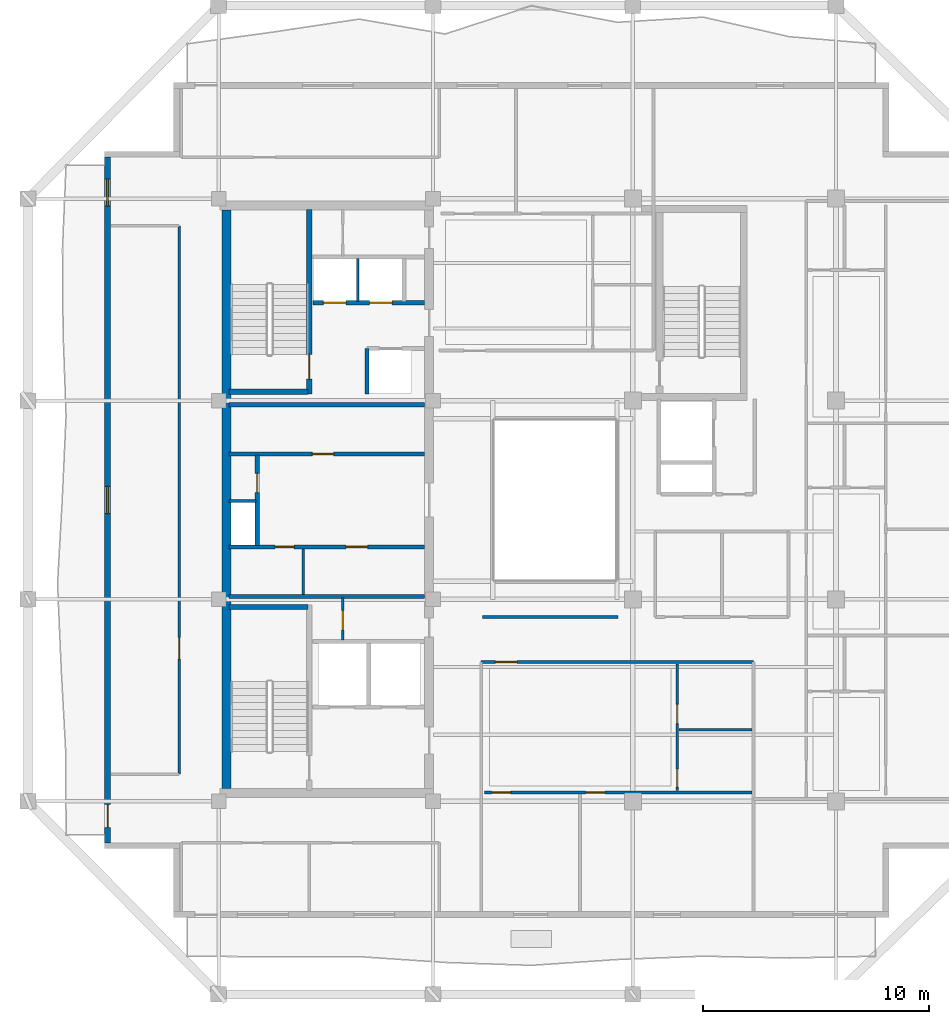
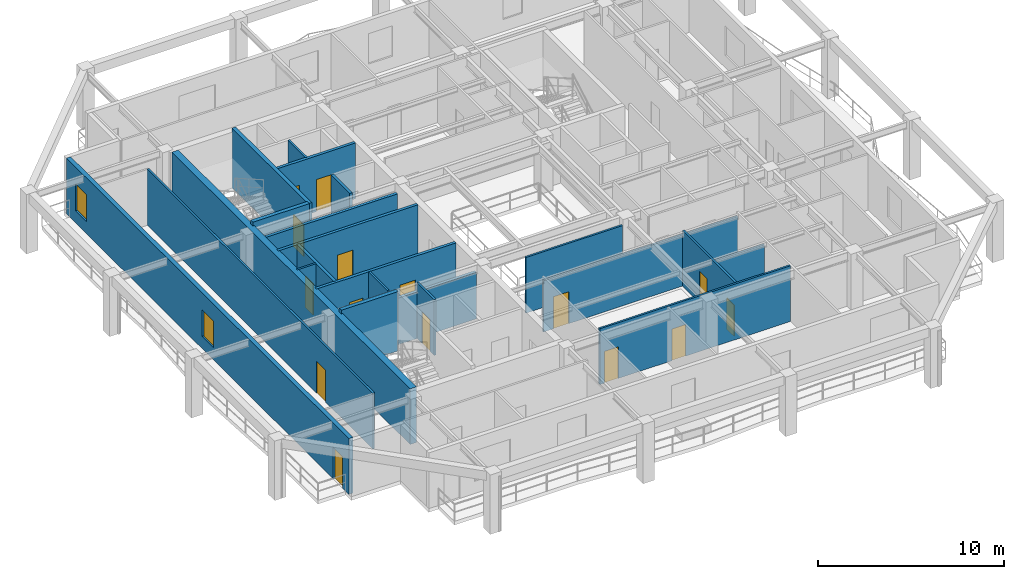
# One storey, part 3 of 10: 22 walls, 15 doors, 2 windows, 17 openings.
"""IFC4 building model written with IfcOpenShell, lengths in metres."""

import ifcopenshell
import ifcopenshell.guid

model = None  # the IFC model being written
_history = None  # IfcOwnerHistory: only IFC2X3 demands one
_inside = {}  # id of a spatial element -> (the spatial element, [elements in it])
_under = {}  # id of a project, library or spatial element -> (it, [spatial elements below it])
_declared = {}  # id of a project -> (the project, [libraries it declares])
_typed = {}  # id of a type object -> (the type object, [elements of that type])
_made_of = {}  # id of a material, layer set ... -> (it, [elements and type objects made of it])


def new_model(schema):
    """Start an empty IFC model of exactly this schema.

    Asked for "IFC4X3", IfcOpenShell would pick the latest addendum, in which some entities
    have other attributes; the version numbers below select the first issue.
    IFC2X3 requires an IfcOwnerHistory on every rooted entity: one is made here for all.
    """
    global model, _history
    if schema == "IFC4X3":
        model = ifcopenshell.file(schema_version=(4, 3, 0, 0))
    else:
        model = ifcopenshell.file(schema=schema)
    _inside.clear()
    _under.clear()
    _declared.clear()
    _typed.clear()
    _made_of.clear()
    _history = None
    if model.schema == "IFC2X3":
        org = make("IfcOrganization", Name="unknown")
        user = make(
            "IfcPersonAndOrganization",
            ThePerson=make("IfcPerson", FamilyName="unknown"),
            TheOrganization=org,
        )
        app = make(
            "IfcApplication",
            ApplicationDeveloper=org,
            Version="unknown",
            ApplicationFullName="unknown",
            ApplicationIdentifier="unknown",
        )
        _history = make(
            "IfcOwnerHistory",
            OwningUser=user,
            OwningApplication=app,
            ChangeAction="ADDED",
            CreationDate=0,
        )
    return model


def make(cls, **values):
    """One entity of the class cls with the attributes given. An attribute that is None is left unset."""
    return model.create_entity(
        cls, **{name: value for name, value in values.items() if value is not None}
    )


def rooted(cls, **values):
    """An entity with a GlobalId (a new one), such as an element, a storey or a relation."""
    return make(cls, GlobalId=ifcopenshell.guid.new(), OwnerHistory=_history, **values)


def si_unit(unit_type, name, prefix=None):
    """IfcSIUnit, for example si_unit("LENGTHUNIT", "METRE", prefix="MILLI")."""
    return make("IfcSIUnit", UnitType=unit_type, Prefix=prefix, Name=name)


def assignment(units):
    """IfcUnitAssignment: the units of a project."""
    return None if units is None else make("IfcUnitAssignment", Units=units)


def point(xyz):
    """IfcCartesianPoint."""
    return None if xyz is None else make("IfcCartesianPoint", Coordinates=xyz)


def direction(xyz):
    """IfcDirection."""
    return None if xyz is None else make("IfcDirection", DirectionRatios=xyz)


def frame(location, z_axis=None, x_axis=None):
    """IfcAxis2Placement3D, a coordinate frame: its origin and axes. An axis left out is left unset."""
    return make(
        "IfcAxis2Placement3D",
        Location=point(location),
        Axis=direction(z_axis),
        RefDirection=direction(x_axis),
    )


def frame_2d(location, x_axis=None):
    """IfcAxis2Placement2D, a coordinate frame in the plane: its origin and x axis."""
    return make(
        "IfcAxis2Placement2D", Location=point(location), RefDirection=direction(x_axis)
    )


def origin():
    """The frame at (0, 0, 0) with its axes left unset."""
    return frame((0.0, 0.0, 0.0))


def place(relative_to, where):
    """IfcLocalPlacement: puts the frame where relative to a parent placement (None: the world)."""
    return make(
        "IfcLocalPlacement", PlacementRelTo=relative_to, RelativePlacement=where
    )


def context(
    kind, dimensions, precision=None, world=None, true_north=None, identifier=None
):
    """IfcGeometricRepresentationContext, for example the 3D "Model" context."""
    return make(
        "IfcGeometricRepresentationContext",
        ContextIdentifier=identifier,
        ContextType=kind,
        CoordinateSpaceDimension=dimensions,
        Precision=precision,
        WorldCoordinateSystem=world,
        TrueNorth=true_north,
    )


def subcontext(parent, identifier, kind, view, scale=None):
    """IfcGeometricRepresentationSubContext, for example "Body" below "Model"."""
    return make(
        "IfcGeometricRepresentationSubContext",
        ContextIdentifier=identifier,
        ContextType=kind,
        ParentContext=parent,
        TargetScale=scale,
        TargetView=view,
    )


def project(units=None, contexts=None):
    """IfcProject with its units and contexts."""
    return rooted(
        "IfcProject",
        Name="project",
        RepresentationContexts=contexts,
        UnitsInContext=assignment(units),
    )


def spatial(cls, under=None, at=None, **own):
    """A site, building, storey or space (cls), placed at a placement, below another one or the project."""
    s = rooted(cls, ObjectPlacement=at, **own)
    if under is not None:
        _under.setdefault(under.id(), (under, []))[1].append(s)
    return s


def profile(cls, at=None, kind="AREA", **sizes):
    """A parametric profile (cls). Its sizes go by their IFC names, for example OverallWidth=200.0."""
    return make(cls, ProfileType=kind, Position=at, **sizes)


def rectangle(**sizes):
    """IfcRectangleProfileDef."""
    return profile("IfcRectangleProfileDef", **sizes)


def extrude(swept, where, along, depth):
    """IfcExtrudedAreaSolid: the profile swept, set in the frame where, extruded along a direction by depth."""
    return make(
        "IfcExtrudedAreaSolid",
        SweptArea=swept,
        Position=where,
        ExtrudedDirection=direction(along),
        Depth=depth,
    )


def shape(context_of_items, identifier, shape_type, items):
    """IfcShapeRepresentation: the items that make up one representation, for example the "Body"."""
    return make(
        "IfcShapeRepresentation",
        ContextOfItems=context_of_items,
        RepresentationIdentifier=identifier,
        RepresentationType=shape_type,
        Items=items,
    )


def material(Name=None, Category=None):
    """IfcMaterial."""
    return make("IfcMaterial", Name=Name, Category=Category)


def layer(
    of_material, thickness, ventilated=None, Name=None, Category=None, Priority=None
):
    """IfcMaterialLayer: one layer of a wall or slab, of a material (None: an air gap)."""
    return make(
        "IfcMaterialLayer",
        Material=of_material,
        LayerThickness=thickness,
        IsVentilated=ventilated,
        Name=Name,
        Category=Category,
        Priority=Priority,
    )


def layer_set(layers, Name=None):
    """IfcMaterialLayerSet."""
    return make("IfcMaterialLayerSet", MaterialLayers=layers, LayerSetName=Name)


def made_of(thing, what):
    """Note that an element or type object is made of a material, layer set ...; save() writes the relation."""
    if what is not None:
        _made_of.setdefault(what.id(), (what, []))[1].append(thing)
    return thing


def type_object(cls, material=None, **own):
    """A type object (cls), such as IfcWallType, which elements share."""
    return made_of(rooted(cls, **own), material)


def element(
    cls,
    number,
    at=None,
    inside=None,
    cuts=None,
    type_object=None,
    material=None,
    context=None,
    identifier="Body",
    shape_type=None,
    held_by="IfcProductDefinitionShape",
    body=None,
    shapes=None,
    **own,
):
    """One element of the class cls, such as IfcWall. Its Tag is "e" and its number.

    at: its placement. inside: the storey or other place that contains it. cuts: it is an
    opening in that element (IfcRelVoidsElement). A single representation is given by context,
    identifier, shape_type and body (its items); several are given by shapes. held_by: the class
    of the entity that holds the representations. save() writes the other relations.
    """
    e = rooted(cls, Tag="e%d" % number, ObjectPlacement=at, **own)
    if body is not None:
        shapes = [shape(context, identifier, shape_type, body)]
    if shapes is not None:
        e.Representation = make(held_by, Representations=shapes)
    if inside is not None:
        _inside.setdefault(inside.id(), (inside, []))[1].append(e)
    if cuts is not None:
        rooted(
            "IfcRelVoidsElement", RelatingBuildingElement=cuts, RelatedOpeningElement=e
        )
    if type_object is not None:
        _typed.setdefault(type_object.id(), (type_object, []))[1].append(e)
    return made_of(e, material)


def fill(opening, filler):
    """IfcRelFillsElement: the door or window that sits in an opening."""
    return rooted(
        "IfcRelFillsElement",
        RelatingOpeningElement=opening,
        RelatedBuildingElement=filler,
    )


def aggregate(whole, parts):
    """IfcRelAggregates: a whole, such as a stair, and the parts it consists of."""
    return rooted("IfcRelAggregates", RelatingObject=whole, RelatedObjects=parts)


def save(model, path):
    """Write the relations noted so far, then the file.

    IfcRelAggregates (storeys below a building ...), IfcRelContainedInSpatialStructure (elements
    in a storey), IfcRelDefinesByType, IfcRelAssociatesMaterial and IfcRelDeclares: one each for
    every whole, place, type object, material and project.
    """
    for whole, parts in _under.values():
        aggregate(whole, parts)
    for where, things in _inside.values():
        rooted(
            "IfcRelContainedInSpatialStructure",
            RelatedElements=things,
            RelatingStructure=where,
        )
    for kind, things in _typed.values():
        rooted("IfcRelDefinesByType", RelatedObjects=things, RelatingType=kind)
    for what, things in _made_of.values():
        rooted("IfcRelAssociatesMaterial", RelatedObjects=things, RelatingMaterial=what)
    for by, libraries in _declared.values():
        rooted("IfcRelDeclares", RelatingContext=by, RelatedDefinitions=libraries)
    model.write(path)


model = new_model("IFC4")

# Units and contexts
model_context = context("Model", 3, precision=1e-05, world=origin(), true_north=direction((0.0, 1.0)))
body_context = subcontext(model_context, "Body", "Model", "MODEL_VIEW")
ifc_project = project(units=[si_unit("LENGTHUNIT", "METRE"), si_unit("AREAUNIT", "SQUARE_METRE"), si_unit("VOLUMEUNIT", "CUBIC_METRE"), si_unit("PLANEANGLEUNIT", "RADIAN"), si_unit("MASSUNIT", "GRAM", prefix="KILO")], contexts=[model_context])

# Site, building, storey
site_placement = place(None, origin())
site = spatial("IfcSite", under=ifc_project, at=site_placement, CompositionType="ELEMENT")
building_placement = place(site_placement, origin())
building = spatial("IfcBuilding", under=site, at=building_placement, Name="Kundavana Baori Tower", CompositionType="ELEMENT")
storey_placement = place(building_placement, frame((0.0, 0.0, 288.199951171875)))
storey = spatial("IfcBuildingStorey", under=building, at=storey_placement, Name="L71", CompositionType="ELEMENT", Elevation=288.199951171875)

# Walls
ifc_material_1 = material(Name="Concrete C50/60", Category="concrete")
ifc_layer_1 = layer(ifc_material_1, 0.39990234375, Name="WL-CORE-400")
ifc_layer_set_1 = layer_set([ifc_layer_1], Name="Concrete C50/60")
wall_type_1 = type_object("IfcWallType", Name="WL-CORE-400", PredefinedType="SHEAR", material=ifc_layer_set_1)
wall_1_placement = place(storey_placement, frame((15.7900390625, 15.81005859375, 0.0), z_axis=(0.0, 0.0, 1.0), x_axis=(0.0, 1.0, 0.0)))
element("IfcWall", 1, at=wall_1_placement, inside=storey, type_object=wall_type_1, Name="L71 Offset Core West Shear Wall", PredefinedType="SHEAR", context=body_context, shape_type="SweptSolid", body=[
    extrude(rectangle(XDim=25.6298828125, YDim=0.39990234375, at=frame_2d((12.81494140625, 0.0))), origin(), (0.0, 0.0, 1.0), 3.66015625),
])
wall_2_placement = place(storey_placement, frame((15.89990234375, 23.860107421875, 0.0), z_axis=(0.0, 0.0, 1.0), x_axis=(1.0, 0.0, 0.0)))
element("IfcWall", 2, at=wall_2_placement, inside=storey, type_object=wall_type_1, Name="WL-L71-ST1-N", PredefinedType="SHEAR", context=body_context, shape_type="SweptSolid", body=[
    extrude(rectangle(XDim=3.52001953125, YDim=0.239990234375, at=frame_2d((1.760009765625, 0.0))), origin(), (0.0, 0.0, 1.0), 3.900146484375),
])

# Wall, opening, door
wall_3_placement = place(storey_placement, frame((19.4599609375, 33.300048828125, 0.0), z_axis=(0.0, 0.0, 1.0), x_axis=(0.0, 1.0, 0.0)))
wall_3 = element("IfcWall", 3, at=wall_3_placement, inside=storey, type_object=wall_type_1, Name="WL-L71-ST2-E", PredefinedType="SHEAR", context=body_context, shape_type="SweptSolid", body=[
    extrude(rectangle(XDim=8.179931640625, YDim=0.239990234375, at=frame_2d((4.08984375, 0.0))), origin(), (0.0, 0.0, 1.0), 3.900146484375),
])
opening_1_placement = place(wall_3_placement, frame((0.64990234375, 0.0, 0.0)))
opening_1 = element("IfcOpeningElement", 4, at=opening_1_placement, cuts=wall_3, Name="Opening FD-110", PredefinedType="OPENING", context=body_context, shape_type="SweptSolid", body=[
    extrude(rectangle(XDim=1.10009765625, YDim=2.10009765625, at=frame_2d((0.550048828125, 1.050048828125))), frame((0.0, 0.1298828125, 0.0), z_axis=(0.0, -1.0, 0.0), x_axis=(1.0, 0.0, 0.0)), (0.0, 0.0, 1.0), 0.260009765625),
])
ifc_material_2 = material(Name="Galvanised Steel Fire-Rated Door Leaf", Category="steel")
door_type_1 = type_object("IfcDoorType", Name="DR-FD120-1100", OperationType="NOTDEFINED", PredefinedType="DOOR", material=ifc_material_2)
door_1_placement = place(opening_1_placement, origin())
door_1 = element("IfcDoor", 5, at=door_1_placement, inside=storey, type_object=door_type_1, Name="DR-L71-ST2", OperationType="SINGLE_SWING_RIGHT", OverallHeight=2.10009765625, OverallWidth=1.10009765625, PredefinedType="DOOR", context=body_context, shape_type="SweptSolid", body=[
    extrude(rectangle(XDim=1.10009765625, YDim=2.10009765625, at=frame_2d((0.550048828125, 1.050048828125))), frame((0.0, 0.02490234375, 0.0), z_axis=(0.0, -1.0, 0.0), x_axis=(1.0, 0.0, 0.0)), (0.0, 0.0, 1.0), 0.050048828125),
])
fill(opening_1, door_1)

# Wall
wall_4_placement = place(storey_placement, frame((15.89990234375, 33.389892578125, 0.0), z_axis=(0.0, 0.0, 1.0), x_axis=(1.0, 0.0, 0.0)))
element("IfcWall", 6, at=wall_4_placement, inside=storey, type_object=wall_type_1, Name="WL-L71-ST2-S", PredefinedType="SHEAR", context=body_context, shape_type="SweptSolid", body=[
    extrude(rectangle(XDim=3.52001953125, YDim=0.239990234375, at=frame_2d((1.760009765625, 0.0))), origin(), (0.0, 0.0, 1.0), 3.900146484375),
])

# Wall, openings, door, windows
ifc_material_3 = material(Name="Kiln-Fired Terracotta Brick-Slip Masonry on Concrete C40/50", Category="masonry")
ifc_layer_2 = layer(ifc_material_3, 0.260009765625, Name="WL-EXT-BRK-260")
ifc_layer_set_2 = layer_set([ifc_layer_2], Name="Kiln-Fired Terracotta Brick-Slip Masonry on Concrete C40/50")
wall_type_2 = type_object("IfcWallType", Name="WL-EXT-BRK-260", PredefinedType="SOLIDWALL", material=ifc_layer_set_2)
wall_5_placement = place(storey_placement, frame((10.530029296875, 43.7900390625, 0.0), z_axis=(0.0, 0.0, 1.0), x_axis=(0.0, -1.0, 0.0)))
wall_5 = element("IfcWall", 7, at=wall_5_placement, inside=storey, type_object=wall_type_2, Name="L71 Exterior Insulated Facade Wall 10", PredefinedType="SOLIDWALL", context=body_context, shape_type="SweptSolid", body=[
    extrude(rectangle(XDim=30.380126953125, YDim=0.260009765625, at=frame_2d((15.18994140625, 0.0))), origin(), (0.0, 0.0, 1.0), 3.66015625),
])
opening_2_placement = place(wall_5_placement, frame((28.68994140625, 0.0, 0.0)))
opening_2 = element("IfcOpeningElement", 8, at=opening_2_placement, cuts=wall_5, Name="Opening BD-1", PredefinedType="OPENING", context=body_context, shape_type="SweptSolid", body=[
    extrude(rectangle(XDim=1.0, YDim=2.050048828125, at=frame_2d((0.5, 1.02490234375))), frame((0.0, 0.14013671875, 0.0), z_axis=(0.0, -1.0, 0.0), x_axis=(1.0, 0.0, 0.0)), (0.0, 0.0, 1.0), 0.280029296875),
])
opening_3_placement = place(wall_5_placement, frame((14.590087890625, 0.0, 0.800048828125)))
opening_3 = element("IfcOpeningElement", 9, at=opening_3_placement, cuts=wall_5, Name="Opening W-03", PredefinedType="OPENING", context=body_context, shape_type="SweptSolid", body=[
    extrude(rectangle(XDim=1.199951171875, YDim=1.75, at=frame_2d((0.60009765625, 0.875))), frame((0.0, 0.14013671875, 0.0), z_axis=(0.0, -1.0, 0.0), x_axis=(1.0, 0.0, 0.0)), (0.0, 0.0, 1.0), 0.280029296875),
])
opening_4_placement = place(wall_5_placement, frame((0.97509765625, 0.0, 0.800048828125)))
opening_4 = element("IfcOpeningElement", 10, at=opening_4_placement, cuts=wall_5, Name="Opening W-03", PredefinedType="OPENING", context=body_context, shape_type="SweptSolid", body=[
    extrude(rectangle(XDim=1.199951171875, YDim=1.75, at=frame_2d((0.60009765625, 0.875))), frame((0.0, 0.14013671875, 0.0), z_axis=(0.0, -1.0, 0.0), x_axis=(1.0, 0.0, 0.0)), (0.0, 0.0, 1.0), 0.280029296875),
])
ifc_material_4 = material(Name="Architectural Patinated Bronze Metalwork")
door_type_2 = type_object("IfcDoorType", Name="DR-EXT-LOG-1000", OperationType="NOTDEFINED", PredefinedType="DOOR", material=ifc_material_4)
door_2_placement = place(opening_2_placement, frame((1.0, 0.0, 0.0), z_axis=(0.0, 0.0, 1.0), x_axis=(-1.0, 0.0, 0.0)))
door_2 = element("IfcDoor", 11, at=door_2_placement, inside=storey, type_object=door_type_2, Name="L71 Loggia Balcony Access Door W", OperationType="SINGLE_SWING_RIGHT", OverallHeight=2.050048828125, OverallWidth=1.0, PredefinedType="DOOR", context=body_context, shape_type="SweptSolid", body=[
    extrude(rectangle(XDim=1.0, YDim=2.050048828125, at=frame_2d((0.5, 1.02490234375))), frame((0.0, 0.02490234375, 0.0), z_axis=(0.0, -1.0, 0.0), x_axis=(1.0, 0.0, 0.0)), (0.0, 0.0, 1.0), 0.050048828125),
])
fill(opening_2, door_2)
ifc_material_5 = material(Name="Double-Glazed Solar-Control Low-E Insulated Glass", Category="glass")
window_type = type_object("IfcWindowType", Name="WIN-LOG-1200x1750", PartitioningType="SINGLE_PANEL", PredefinedType="WINDOW", material=ifc_material_5)
window_1_placement = place(opening_3_placement, origin())
window_1 = element("IfcWindow", 12, at=window_1_placement, inside=storey, type_object=window_type, Name="L71 Recessed Loggia Window W-2", OverallHeight=1.75, OverallWidth=1.199951171875, PartitioningType="SINGLE_PANEL", PredefinedType="WINDOW", context=body_context, shape_type="SweptSolid", body=[
    extrude(rectangle(XDim=1.199951171875, YDim=1.75, at=frame_2d((0.60009765625, 0.875))), frame((0.0, 0.030029296875, 0.0), z_axis=(0.0, -1.0, 0.0), x_axis=(1.0, 0.0, 0.0)), (0.0, 0.0, 1.0), 0.06005859375),
])
fill(opening_3, window_1)
window_2_placement = place(opening_4_placement, origin())
window_2 = element("IfcWindow", 13, at=window_2_placement, inside=storey, type_object=window_type, Name="L71 Recessed Loggia Window W-3", OverallHeight=1.75, OverallWidth=1.199951171875, PartitioningType="SINGLE_PANEL", PredefinedType="WINDOW", context=body_context, shape_type="SweptSolid", body=[
    extrude(rectangle(XDim=1.199951171875, YDim=1.75, at=frame_2d((0.60009765625, 0.875))), frame((0.0, 0.030029296875, 0.0), z_axis=(0.0, -1.0, 0.0), x_axis=(1.0, 0.0, 0.0)), (0.0, 0.0, 1.0), 0.06005859375),
])
fill(opening_4, window_2)

# Wall, opening, door
ifc_material_6 = material(Name="Acoustic Gypsum Plasterboard on Galvanised Steel Studs", Category="steel")
ifc_layer_3 = layer(ifc_material_6, 0.1201171875, Name="WL-PART-120")
ifc_layer_set_3 = layer_set([ifc_layer_3], Name="Acoustic Gypsum Plasterboard on Galvanised Steel Studs")
wall_type_3 = type_object("IfcWallType", Name="WL-PART-120", PredefinedType="PARTITIONING", material=ifc_layer_set_3)
wall_6_placement = place(storey_placement, frame((20.949951171875, 22.39990234375, 0.0), z_axis=(0.0, 0.0, 1.0), x_axis=(0.0, 1.0, 0.0)))
wall_6 = element("IfcWall", 14, at=wall_6_placement, inside=storey, type_object=wall_type_3, Name="WL-L71-CSMK-D2", PredefinedType="PARTITIONING", context=body_context, shape_type="SweptSolid", body=[
    extrude(rectangle(XDim=1.880126953125, YDim=0.1201171875, at=frame_2d((0.93994140625, 0.0))), origin(), (0.0, 0.0, 1.0), 3.66015625),
])
opening_5_placement = place(wall_6_placement, frame((0.449951171875, 0.0, 0.0)))
opening_5 = element("IfcOpeningElement", 15, at=opening_5_placement, cuts=wall_6, Name="Opening FD-085", PredefinedType="OPENING", context=body_context, shape_type="SweptSolid", body=[
    extrude(rectangle(XDim=0.85009765625, YDim=2.06005859375, at=frame_2d((0.425048828125, 1.030029296875))), frame((0.0, 0.070068359375, 0.0), z_axis=(0.0, -1.0, 0.0), x_axis=(1.0, 0.0, 0.0)), (0.0, 0.0, 1.0), 0.14013671875),
])
ifc_material_7 = material(Name="Galvanised Steel Fire-Rated Door Leaf", Category="steel")
door_type_3 = type_object("IfcDoorType", Name="DR-FD60-850", OperationType="NOTDEFINED", PredefinedType="DOOR", material=ifc_material_7)
door_3_placement = place(opening_5_placement, origin())
door_3 = element("IfcDoor", 16, at=door_3_placement, inside=storey, type_object=door_type_3, Name="DR-L71-CSMK1", OperationType="SINGLE_SWING_RIGHT", OverallHeight=2.06005859375, OverallWidth=0.85009765625, PredefinedType="DOOR", context=body_context, shape_type="SweptSolid", body=[
    extrude(rectangle(XDim=0.85009765625, YDim=2.06005859375, at=frame_2d((0.425048828125, 1.030029296875))), frame((0.0, 0.02490234375, 0.0), z_axis=(0.0, -1.0, 0.0), x_axis=(1.0, 0.0, 0.0)), (0.0, 0.0, 1.0), 0.050048828125),
])
fill(opening_5, door_3)

# Walls
wall_7_placement = place(storey_placement, frame((19.199951171875, 24.419921875, 0.0), z_axis=(0.0, 0.0, 1.0), x_axis=(0.0, 1.0, 0.0)))
element("IfcWall", 17, at=wall_7_placement, inside=storey, type_object=wall_type_3, Name="WL-L71-FRLOW-DIV", PredefinedType="PARTITIONING", context=body_context, shape_type="SweptSolid", body=[
    extrude(rectangle(XDim=2.02001953125, YDim=0.1201171875, at=frame_2d((1.010009765625, 0.0))), origin(), (0.0, 0.0, 1.0), 3.66015625),
])
wall_8_placement = place(storey_placement, frame((15.89990234375, 28.56005859375, 0.0), z_axis=(0.0, 0.0, 1.0), x_axis=(1.0, 0.0, 0.0)))
element("IfcWall", 18, at=wall_8_placement, inside=storey, type_object=wall_type_3, Name="WL-L71-RSRW-N", PredefinedType="PARTITIONING", context=body_context, shape_type="SweptSolid", body=[
    extrude(rectangle(XDim=1.2001953125, YDim=0.1201171875, at=frame_2d((0.60009765625, 0.0))), origin(), (0.0, 0.0, 1.0), 3.66015625),
])
wall_9_placement = place(storey_placement, frame((21.6201171875, 37.39990234375, 0.0), z_axis=(0.0, 0.0, 1.0), x_axis=(0.0, 1.0, 0.0)))
element("IfcWall", 19, at=wall_9_placement, inside=storey, type_object=wall_type_3, Name="WL-L71-HR-DIV1", PredefinedType="PARTITIONING", context=body_context, shape_type="SweptSolid", body=[
    extrude(rectangle(XDim=1.900146484375, YDim=0.1201171875, at=frame_2d((0.9501953125, 0.0))), origin(), (0.0, 0.0, 1.0), 3.66015625),
])

# Wall, opening, door
wall_10_placement = place(storey_placement, frame((27.080078125, 21.419921875, 0.0), z_axis=(0.0, 0.0, 1.0), x_axis=(1.0, 0.0, 0.0)))
wall_10 = element("IfcWall", 20, at=wall_10_placement, inside=storey, type_object=wall_type_3, Name="WL-L71-RS", PredefinedType="PARTITIONING", context=body_context, shape_type="SweptSolid", body=[
    extrude(rectangle(XDim=12.06982421875, YDim=0.1201171875, at=frame_2d((6.034912109375, 0.0))), origin(), (0.0, 0.0, 1.0), 3.360107421875),
])
opening_6_placement = place(wall_10_placement, frame((0.6298828125, 0.0, 0.0)))
opening_6 = element("IfcOpeningElement", 21, at=opening_6_placement, cuts=wall_10, Name="Opening FD-095", PredefinedType="OPENING", context=body_context, shape_type="SweptSolid", body=[
    extrude(rectangle(XDim=0.949951171875, YDim=2.10009765625, at=frame_2d((0.47509765625, 1.050048828125))), frame((0.0, 0.070068359375, 0.0), z_axis=(0.0, -1.0, 0.0), x_axis=(1.0, 0.0, 0.0)), (0.0, 0.0, 1.0), 0.14013671875),
])
ifc_material_8 = material(Name="Engineered Teak Fire-Rated Timber Door Leaf", Category="wood")
door_type_4 = type_object("IfcDoorType", Name="DR-FD60-950", OperationType="NOTDEFINED", PredefinedType="DOOR", material=ifc_material_8)
door_4_placement = place(opening_6_placement, frame((0.949951171875, 0.0, 0.0), z_axis=(0.0, 0.0, 1.0), x_axis=(-1.0, 0.0, 0.0)))
door_4 = element("IfcDoor", 22, at=door_4_placement, inside=storey, type_object=door_type_4, Name="DR-L71-S1-ENT", OperationType="SINGLE_SWING_RIGHT", OverallHeight=2.10009765625, OverallWidth=0.949951171875, PredefinedType="DOOR", context=body_context, shape_type="SweptSolid", body=[
    extrude(rectangle(XDim=0.949951171875, YDim=2.10009765625, at=frame_2d((0.47509765625, 1.050048828125))), frame((0.0, 0.02490234375, 0.0), z_axis=(0.0, -1.0, 0.0), x_axis=(1.0, 0.0, 0.0)), (0.0, 0.0, 1.0), 0.050048828125),
])
fill(opening_6, door_4)

# Wall
wall_11_placement = place(storey_placement, frame((27.14990234375, 23.419921875, 0.0), z_axis=(0.0, 0.0, 1.0), x_axis=(1.0, 0.0, 0.0)))
element("IfcWall", 23, at=wall_11_placement, inside=storey, type_object=wall_type_3, Name="WL-L71-RST", PredefinedType="PARTITIONING", context=body_context, shape_type="SweptSolid", body=[
    extrude(rectangle(XDim=6.0, YDim=0.1201171875, at=frame_2d((3.0, 0.0))), origin(), (0.0, 0.0, 1.0), 3.66015625),
])

# Wall, opening, door
wall_12_placement = place(storey_placement, frame((13.699951171875, 16.449951171875, 0.0), z_axis=(0.0, 0.0, 1.0), x_axis=(0.0, 1.0, 0.0)))
wall_12 = element("IfcWall", 24, at=wall_12_placement, inside=storey, type_object=wall_type_3, Name="WL-L71-RW", PredefinedType="PARTITIONING", context=body_context, shape_type="SweptSolid", body=[
    extrude(rectangle(XDim=24.300048828125, YDim=0.1201171875, at=frame_2d((12.14990234375, 0.0))), origin(), (0.0, 0.0, 1.0), 3.66015625),
])
opening_7_placement = place(wall_12_placement, frame((5.10009765625, 0.0, 0.0)))
opening_7 = element("IfcOpeningElement", 25, at=opening_7_placement, cuts=wall_12, Name="Opening ID-095", PredefinedType="OPENING", context=body_context, shape_type="SweptSolid", body=[
    extrude(rectangle(XDim=0.949951171875, YDim=2.080078125, at=frame_2d((0.47509765625, 1.0400390625))), frame((0.0, 0.070068359375, 0.0), z_axis=(0.0, -1.0, 0.0), x_axis=(1.0, 0.0, 0.0)), (0.0, 0.0, 1.0), 0.14013671875),
])
ifc_material_9 = material(Name="Engineered Teak Solid-Core Timber Veneer", Category="wood")
door_type_5 = type_object("IfcDoorType", Name="DR-INT-950", OperationType="NOTDEFINED", PredefinedType="DOOR", material=ifc_material_9)
door_5_placement = place(opening_7_placement, origin())
door_5 = element("IfcDoor", 26, at=door_5_placement, inside=storey, type_object=door_type_5, Name="DR-L71-RLNGW", OperationType="SINGLE_SWING_LEFT", OverallHeight=2.080078125, OverallWidth=0.949951171875, PredefinedType="DOOR", context=body_context, shape_type="SweptSolid", body=[
    extrude(rectangle(XDim=0.949951171875, YDim=2.080078125, at=frame_2d((0.47509765625, 1.0400390625))), frame((0.0, 0.02490234375, 0.0), z_axis=(0.0, -1.0, 0.0), x_axis=(1.0, 0.0, 0.0)), (0.0, 0.0, 1.0), 0.050048828125),
])
fill(opening_7, door_5)

# Wall, openings, doors
wall_13_placement = place(storey_placement, frame((27.239990234375, 15.64111328125, 0.0), z_axis=(0.0, 0.0, 1.0), x_axis=(1.0, 0.0, 0.0)))
wall_13 = element("IfcWall", 27, at=wall_13_placement, inside=storey, type_object=wall_type_3, Name="WL-L71-S1-HZ", PredefinedType="PARTITIONING", context=body_context, shape_type="SweptSolid", body=[
    extrude(rectangle(XDim=11.830078125, YDim=0.1201171875, at=frame_2d((5.9150390625, 0.0))), origin(), (0.0, 0.0, 1.0), 3.66015625),
])
opening_8_placement = place(wall_13_placement, frame((0.300048828125, 0.0, 0.0)))
opening_8 = element("IfcOpeningElement", 28, at=opening_8_placement, cuts=wall_13, Name="Opening ID-085", PredefinedType="OPENING", context=body_context, shape_type="SweptSolid", body=[
    extrude(rectangle(XDim=0.85009765625, YDim=2.080078125, at=frame_2d((0.425048828125, 1.0400390625))), frame((0.0, 0.070068359375, 0.0), z_axis=(0.0, -1.0, 0.0), x_axis=(1.0, 0.0, 0.0)), (0.0, 0.0, 1.0), 0.14013671875),
])
opening_9_placement = place(wall_13_placement, frame((4.47509765625, 0.0, 0.0)))
opening_9 = element("IfcOpeningElement", 29, at=opening_9_placement, cuts=wall_13, Name="Opening ID-085", PredefinedType="OPENING", context=body_context, shape_type="SweptSolid", body=[
    extrude(rectangle(XDim=0.85009765625, YDim=2.080078125, at=frame_2d((0.425048828125, 1.0400390625))), frame((0.0, 0.070068359375, 0.0), z_axis=(0.0, -1.0, 0.0), x_axis=(1.0, 0.0, 0.0)), (0.0, 0.0, 1.0), 0.14013671875),
])
ifc_material_10 = material(Name="Engineered Teak Solid-Core Timber Veneer", Category="wood")
door_type_6 = type_object("IfcDoorType", Name="DR-INT-850", OperationType="NOTDEFINED", PredefinedType="DOOR", material=ifc_material_10)
door_6_placement = place(opening_8_placement, frame((0.85009765625, 0.0, 0.0), z_axis=(0.0, 0.0, 1.0), x_axis=(-1.0, 0.0, 0.0)))
door_6 = element("IfcDoor", 30, at=door_6_placement, inside=storey, type_object=door_type_6, Name="DR-L71-S1-B1", OperationType="SINGLE_SWING_LEFT", OverallHeight=2.080078125, OverallWidth=0.85009765625, PredefinedType="DOOR", context=body_context, shape_type="SweptSolid", body=[
    extrude(rectangle(XDim=0.85009765625, YDim=2.080078125, at=frame_2d((0.425048828125, 1.0400390625))), frame((0.0, 0.02490234375, 0.0), z_axis=(0.0, -1.0, 0.0), x_axis=(1.0, 0.0, 0.0)), (0.0, 0.0, 1.0), 0.050048828125),
])
fill(opening_8, door_6)
door_7_placement = place(opening_9_placement, frame((0.85009765625, 0.0, 0.0), z_axis=(0.0, 0.0, 1.0), x_axis=(-1.0, 0.0, 0.0)))
door_7 = element("IfcDoor", 31, at=door_7_placement, inside=storey, type_object=door_type_6, Name="DR-L71-S1-B2", OperationType="SINGLE_SWING_RIGHT", OverallHeight=2.080078125, OverallWidth=0.85009765625, PredefinedType="DOOR", context=body_context, shape_type="SweptSolid", body=[
    extrude(rectangle(XDim=0.85009765625, YDim=2.080078125, at=frame_2d((0.425048828125, 1.0400390625))), frame((0.0, 0.02490234375, 0.0), z_axis=(0.0, -1.0, 0.0), x_axis=(1.0, 0.0, 0.0)), (0.0, 0.0, 1.0), 0.050048828125),
])
fill(opening_9, door_7)

ifc_material_11 = material(Name="Autoclaved Aerated Concrete Blockwork Masonry", Category="masonry")
ifc_layer_4 = layer(ifc_material_11, 0.179931640625, Name="WL-SHAFT-180")
ifc_layer_set_4 = layer_set([ifc_layer_4], Name="Autoclaved Aerated Concrete Blockwork Masonry")
wall_type_4 = type_object("IfcWallType", Name="WL-SHAFT-180", PredefinedType="SOLIDWALL", material=ifc_layer_set_4)
wall_14_placement = place(storey_placement, frame((15.89990234375, 26.52001953125, 0.0), z_axis=(0.0, 0.0, 1.0), x_axis=(1.0, 0.0, 0.0)))
wall_14 = element("IfcWall", 32, at=wall_14_placement, inside=storey, type_object=wall_type_4, Name="WL-L71-LPLOW-N", PredefinedType="SOLIDWALL", context=body_context, shape_type="SweptSolid", body=[
    extrude(rectangle(XDim=8.68017578125, YDim=0.179931640625, at=frame_2d((4.340087890625, 0.0))), origin(), (0.0, 0.0, 1.0), 3.66015625),
])
opening_10_placement = place(wall_14_placement, frame((2.050048828125, 0.0, 0.0)))
opening_10 = element("IfcOpeningElement", 33, at=opening_10_placement, cuts=wall_14, Name="Opening FD-085", PredefinedType="OPENING", context=body_context, shape_type="SweptSolid", body=[
    extrude(rectangle(XDim=0.85009765625, YDim=2.06005859375, at=frame_2d((0.425048828125, 1.030029296875))), frame((0.0, 0.10009765625, 0.0), z_axis=(0.0, -1.0, 0.0), x_axis=(1.0, 0.0, 0.0)), (0.0, 0.0, 1.0), 0.199951171875),
])
opening_11_placement = place(wall_14_placement, frame((5.199951171875, 0.0, 0.0)))
opening_11 = element("IfcOpeningElement", 34, at=opening_11_placement, cuts=wall_14, Name="Opening FD-095", PredefinedType="OPENING", context=body_context, shape_type="SweptSolid", body=[
    extrude(rectangle(XDim=0.949951171875, YDim=2.10009765625, at=frame_2d((0.47509765625, 1.050048828125))), frame((0.0, 0.10009765625, 0.0), z_axis=(0.0, -1.0, 0.0), x_axis=(1.0, 0.0, 0.0)), (0.0, 0.0, 1.0), 0.199951171875),
])
door_8_placement = place(opening_10_placement, origin())
door_8 = element("IfcDoor", 35, at=door_8_placement, inside=storey, type_object=door_type_3, Name="DR-L71-FRLOW1", OperationType="SINGLE_SWING_LEFT", OverallHeight=2.06005859375, OverallWidth=0.85009765625, PredefinedType="DOOR", context=body_context, shape_type="SweptSolid", body=[
    extrude(rectangle(XDim=0.85009765625, YDim=2.06005859375, at=frame_2d((0.425048828125, 1.030029296875))), frame((0.0, 0.02490234375, 0.0), z_axis=(0.0, -1.0, 0.0), x_axis=(1.0, 0.0, 0.0)), (0.0, 0.0, 1.0), 0.050048828125),
])
fill(opening_10, door_8)
door_9_placement = place(opening_11_placement, origin())
door_9 = element("IfcDoor", 36, at=door_9_placement, inside=storey, type_object=door_type_4, Name="DR-L71-FRLOW2", OperationType="SINGLE_SWING_RIGHT", OverallHeight=2.10009765625, OverallWidth=0.949951171875, PredefinedType="DOOR", context=body_context, shape_type="SweptSolid", body=[
    extrude(rectangle(XDim=0.949951171875, YDim=2.10009765625, at=frame_2d((0.47509765625, 1.050048828125))), frame((0.0, 0.02490234375, 0.0), z_axis=(0.0, -1.0, 0.0), x_axis=(1.0, 0.0, 0.0)), (0.0, 0.0, 1.0), 0.050048828125),
])
fill(opening_11, door_9)

# Wall
wall_15_placement = place(storey_placement, frame((15.89990234375, 24.330078125, 0.0), z_axis=(0.0, 0.0, 1.0), x_axis=(1.0, 0.0, 0.0)))
element("IfcWall", 37, at=wall_15_placement, inside=storey, type_object=wall_type_4, Name="WL-L71-LPLOW-S", PredefinedType="SOLIDWALL", context=body_context, shape_type="SweptSolid", body=[
    extrude(rectangle(XDim=8.68017578125, YDim=0.179931640625, at=frame_2d((4.340087890625, 0.0))), origin(), (0.0, 0.0, 1.0), 3.06005859375),
])

# Wall, opening, door
wall_16_placement = place(storey_placement, frame((17.159912109375, 26.580078125, 0.0), z_axis=(0.0, 0.0, 1.0), x_axis=(0.0, 1.0, 0.0)))
wall_16 = element("IfcWall", 38, at=wall_16_placement, inside=storey, type_object=wall_type_4, Name="WL-L71-RSRW-E", PredefinedType="SOLIDWALL", context=body_context, shape_type="SweptSolid", body=[
    extrude(rectangle(XDim=4.02001953125, YDim=0.179931640625, at=frame_2d((2.010009765625, 0.0))), origin(), (0.0, 0.0, 1.0), 3.66015625),
])
opening_12_placement = place(wall_16_placement, frame((2.35009765625, 0.0, 0.0)))
opening_12 = element("IfcOpeningElement", 39, at=opening_12_placement, cuts=wall_16, Name="Opening FD-085", PredefinedType="OPENING", context=body_context, shape_type="SweptSolid", body=[
    extrude(rectangle(XDim=0.85009765625, YDim=2.06005859375, at=frame_2d((0.425048828125, 1.030029296875))), frame((0.0, 0.10009765625, 0.0), z_axis=(0.0, -1.0, 0.0), x_axis=(1.0, 0.0, 0.0)), (0.0, 0.0, 1.0), 0.199951171875),
])
door_10_placement = place(opening_12_placement, origin())
door_10 = element("IfcDoor", 40, at=door_10_placement, inside=storey, type_object=door_type_3, Name="DR-L71-CLN", OperationType="SINGLE_SWING_RIGHT", OverallHeight=2.06005859375, OverallWidth=0.85009765625, PredefinedType="DOOR", context=body_context, shape_type="SweptSolid", body=[
    extrude(rectangle(XDim=0.85009765625, YDim=2.06005859375, at=frame_2d((0.425048828125, 1.030029296875))), frame((0.0, 0.02490234375, 0.0), z_axis=(0.0, -1.0, 0.0), x_axis=(1.0, 0.0, 0.0)), (0.0, 0.0, 1.0), 0.050048828125),
])
fill(opening_12, door_10)

wall_17_placement = place(storey_placement, frame((15.89990234375, 30.639892578125, 0.0), z_axis=(0.0, 0.0, 1.0), x_axis=(1.0, 0.0, 0.0)))
wall_17 = element("IfcWall", 41, at=wall_17_placement, inside=storey, type_object=wall_type_4, Name="WL-L71-LPMID-S", PredefinedType="SOLIDWALL", context=body_context, shape_type="SweptSolid", body=[
    extrude(rectangle(XDim=8.68017578125, YDim=0.179931640625, at=frame_2d((4.340087890625, 0.0))), origin(), (0.0, 0.0, 1.0), 3.66015625),
])
opening_13_placement = place(wall_17_placement, frame((3.699951171875, 0.0, 0.0)))
opening_13 = element("IfcOpeningElement", 42, at=opening_13_placement, cuts=wall_17, Name="Opening FD-095", PredefinedType="OPENING", context=body_context, shape_type="SweptSolid", body=[
    extrude(rectangle(XDim=0.949951171875, YDim=2.10009765625, at=frame_2d((0.47509765625, 1.050048828125))), frame((0.0, 0.10009765625, 0.0), z_axis=(0.0, -1.0, 0.0), x_axis=(1.0, 0.0, 0.0)), (0.0, 0.0, 1.0), 0.199951171875),
])
door_11_placement = place(opening_13_placement, frame((0.949951171875, 0.0, 0.0), z_axis=(0.0, 0.0, 1.0), x_axis=(-1.0, 0.0, 0.0)))
door_11 = element("IfcDoor", 43, at=door_11_placement, inside=storey, type_object=door_type_4, Name="DR-L71-FRMID1", OperationType="SINGLE_SWING_RIGHT", OverallHeight=2.10009765625, OverallWidth=0.949951171875, PredefinedType="DOOR", context=body_context, shape_type="SweptSolid", body=[
    extrude(rectangle(XDim=0.949951171875, YDim=2.10009765625, at=frame_2d((0.47509765625, 1.050048828125))), frame((0.0, 0.02490234375, 0.0), z_axis=(0.0, -1.0, 0.0), x_axis=(1.0, 0.0, 0.0)), (0.0, 0.0, 1.0), 0.050048828125),
])
fill(opening_13, door_11)

# Walls
wall_18_placement = place(storey_placement, frame((15.89990234375, 32.820068359375, 0.0), z_axis=(0.0, 0.0, 1.0), x_axis=(1.0, 0.0, 0.0)))
element("IfcWall", 44, at=wall_18_placement, inside=storey, type_object=wall_type_4, Name="WL-L71-LPMID-N", PredefinedType="SOLIDWALL", context=body_context, shape_type="SweptSolid", body=[
    extrude(rectangle(XDim=8.68017578125, YDim=0.179931640625, at=frame_2d((4.340087890625, 0.0))), origin(), (0.0, 0.0, 1.0), 3.06005859375),
])
wall_19_placement = place(storey_placement, frame((22.02001953125, 33.300048828125, 0.0), z_axis=(0.0, 0.0, 1.0), x_axis=(0.0, 1.0, 0.0)))
element("IfcWall", 45, at=wall_19_placement, inside=storey, type_object=wall_type_4, Name="WL-L71-LP11-W", PredefinedType="SOLIDWALL", context=body_context, shape_type="SweptSolid", body=[
    extrude(rectangle(XDim=2.010009765625, YDim=0.179931640625, at=frame_2d((1.0048828125, 0.0))), origin(), (0.0, 0.0, 1.0), 3.66015625),
])

# Wall, openings, doors
wall_20_placement = place(storey_placement, frame((19.639892578125, 37.340087890625, 0.0), z_axis=(0.0, 0.0, 1.0), x_axis=(1.0, 0.0, 0.0)))
wall_20 = element("IfcWall", 46, at=wall_20_placement, inside=storey, type_object=wall_type_4, Name="WL-L71-HRLOB-N", PredefinedType="SOLIDWALL", context=body_context, shape_type="SweptSolid", body=[
    extrude(rectangle(XDim=4.940185546875, YDim=0.179931640625, at=frame_2d((2.47021484375, 0.0))), origin(), (0.0, 0.0, 1.0), 3.66015625),
])
opening_14_placement = place(wall_20_placement, frame((0.449951171875, 0.0, 0.0)))
opening_14 = element("IfcOpeningElement", 47, at=opening_14_placement, cuts=wall_20, Name="Opening LD-100", PredefinedType="OPENING", context=body_context, shape_type="SweptSolid", body=[
    extrude(rectangle(XDim=1.0, YDim=2.10009765625, at=frame_2d((0.5, 1.050048828125))), frame((0.0, 0.10009765625, 0.0), z_axis=(0.0, -1.0, 0.0), x_axis=(1.0, 0.0, 0.0)), (0.0, 0.0, 1.0), 0.199951171875),
])
opening_15_placement = place(wall_20_placement, frame((2.5, 0.0, 0.0)))
opening_15 = element("IfcOpeningElement", 48, at=opening_15_placement, cuts=wall_20, Name="Opening LD-100", PredefinedType="OPENING", context=body_context, shape_type="SweptSolid", body=[
    extrude(rectangle(XDim=1.0, YDim=2.10009765625, at=frame_2d((0.5, 1.050048828125))), frame((0.0, 0.10009765625, 0.0), z_axis=(0.0, -1.0, 0.0), x_axis=(1.0, 0.0, 0.0)), (0.0, 0.0, 1.0), 0.199951171875),
])
ifc_material_12 = material(Name="Galvanised Steel Fire-Rated Door Leaf", Category="steel")
door_type_7 = type_object("IfcDoorType", Name="DR-SLIDE-LD1000", OperationType="NOTDEFINED", PredefinedType="DOOR", material=ifc_material_12)
door_12_placement = place(opening_14_placement, frame((1.0, 0.0, 0.0), z_axis=(0.0, 0.0, 1.0), x_axis=(-1.0, 0.0, 0.0)))
door_12 = element("IfcDoor", 49, at=door_12_placement, inside=storey, type_object=door_type_7, Name="DR-L71-LD-LP09", OperationType="DOUBLE_DOOR_SLIDING", OverallHeight=2.10009765625, OverallWidth=1.0, PredefinedType="DOOR", context=body_context, shape_type="SweptSolid", body=[
    extrude(rectangle(XDim=1.0, YDim=2.10009765625, at=frame_2d((0.5, 1.050048828125))), frame((0.0, 0.02490234375, 0.0), z_axis=(0.0, -1.0, 0.0), x_axis=(1.0, 0.0, 0.0)), (0.0, 0.0, 1.0), 0.050048828125),
])
fill(opening_14, door_12)
door_13_placement = place(opening_15_placement, frame((1.0, 0.0, 0.0), z_axis=(0.0, 0.0, 1.0), x_axis=(-1.0, 0.0, 0.0)))
door_13 = element("IfcDoor", 50, at=door_13_placement, inside=storey, type_object=door_type_7, Name="DR-L71-LD-LP10", OperationType="DOUBLE_DOOR_SLIDING", OverallHeight=2.10009765625, OverallWidth=1.0, PredefinedType="DOOR", context=body_context, shape_type="SweptSolid", body=[
    extrude(rectangle(XDim=1.0, YDim=2.10009765625, at=frame_2d((0.5, 1.050048828125))), frame((0.0, 0.02490234375, 0.0), z_axis=(0.0, -1.0, 0.0), x_axis=(1.0, 0.0, 0.0)), (0.0, 0.0, 1.0), 0.050048828125),
])
fill(opening_15, door_13)

ifc_material_13 = material(Name="Autoclaved Aerated Concrete Blockwork Masonry", Category="masonry")
ifc_layer_5 = layer(ifc_material_13, 0.125, Name="WL-WET-120")
ifc_layer_set_5 = layer_set([ifc_layer_5], Name="Autoclaved Aerated Concrete Blockwork Masonry")
wall_type_5 = type_object("IfcWallType", Name="WL-WET-120", PredefinedType="PLUMBINGWALL", material=ifc_layer_set_5)
wall_21_placement = place(storey_placement, frame((35.77001953125, 15.720947265625, 0.0), z_axis=(0.0, 0.0, 1.0), x_axis=(0.0, 1.0, 0.0)))
wall_21 = element("IfcWall", 51, at=wall_21_placement, inside=storey, type_object=wall_type_5, Name="WL-L71-S1-KT", PredefinedType="PLUMBINGWALL", context=body_context, shape_type="SweptSolid", body=[
    extrude(rectangle(XDim=5.619140625, YDim=0.125, at=frame_2d((2.8095703125, 0.0))), origin(), (0.0, 0.0, 1.0), 3.66015625),
])
opening_16_placement = place(wall_21_placement, frame((0.159912109375, 0.0, 0.0)))
opening_16 = element("IfcOpeningElement", 52, at=opening_16_placement, cuts=wall_21, Name="Opening WD-080", PredefinedType="OPENING", context=body_context, shape_type="SweptSolid", body=[
    extrude(rectangle(XDim=0.800048828125, YDim=2.050048828125, at=frame_2d((0.39990234375, 1.02490234375))), frame((0.0, 0.072509765625, 0.0), z_axis=(0.0, -1.0, 0.0), x_axis=(1.0, 0.0, 0.0)), (0.0, 0.0, 1.0), 0.14501953125),
])
opening_17_placement = place(wall_21_placement, frame((2.97705078125, 0.0, 0.0)))
opening_17 = element("IfcOpeningElement", 53, at=opening_17_placement, cuts=wall_21, Name="Opening ID-085", PredefinedType="OPENING", context=body_context, shape_type="SweptSolid", body=[
    extrude(rectangle(XDim=0.85009765625, YDim=2.080078125, at=frame_2d((0.425048828125, 1.0400390625))), frame((0.0, 0.072509765625, 0.0), z_axis=(0.0, -1.0, 0.0), x_axis=(1.0, 0.0, 0.0)), (0.0, 0.0, 1.0), 0.14501953125),
])
door_14_placement = place(opening_17_placement, origin())
door_14 = element("IfcDoor", 54, at=door_14_placement, inside=storey, type_object=door_type_6, Name="DR-L71-S1-KT", OperationType="SINGLE_SWING_RIGHT", OverallHeight=2.080078125, OverallWidth=0.85009765625, PredefinedType="DOOR", context=body_context, shape_type="SweptSolid", body=[
    extrude(rectangle(XDim=0.85009765625, YDim=2.080078125, at=frame_2d((0.425048828125, 1.0400390625))), frame((0.0, 0.02490234375, 0.0), z_axis=(0.0, -1.0, 0.0), x_axis=(1.0, 0.0, 0.0)), (0.0, 0.0, 1.0), 0.050048828125),
])
fill(opening_17, door_14)
ifc_material_14 = material(Name="Engineered Teak Solid-Core Timber Veneer", Category="wood")
door_type_8 = type_object("IfcDoorType", Name="DR-WET-800", OperationType="NOTDEFINED", PredefinedType="DOOR", material=ifc_material_14)
door_15_placement = place(opening_16_placement, origin())
door_15 = element("IfcDoor", 55, at=door_15_placement, inside=storey, type_object=door_type_8, Name="DR-L71-S1-BT", OperationType="SINGLE_SWING_LEFT", OverallHeight=2.050048828125, OverallWidth=0.800048828125, PredefinedType="DOOR", context=body_context, shape_type="SweptSolid", body=[
    extrude(rectangle(XDim=0.800048828125, YDim=2.050048828125, at=frame_2d((0.39990234375, 1.02490234375))), frame((0.0, 0.02490234375, 0.0), z_axis=(0.0, -1.0, 0.0), x_axis=(1.0, 0.0, 0.0)), (0.0, 0.0, 1.0), 0.050048828125),
])
fill(opening_16, door_15)

# Wall
wall_22_placement = place(storey_placement, frame((35.85009765625, 18.41796875, 0.0), z_axis=(0.0, 0.0, 1.0), x_axis=(1.0, 0.0, 0.0)))
element("IfcWall", 56, at=wall_22_placement, inside=storey, type_object=wall_type_5, Name="WL-L71-S1-BT", PredefinedType="PLUMBINGWALL", context=body_context, shape_type="SweptSolid", body=[
    extrude(rectangle(XDim=3.219970703125, YDim=0.125, at=frame_2d((1.60986328125, 0.0))), origin(), (0.0, 0.0, 1.0), 3.360107421875),
])

save(model, "model.ifc")
